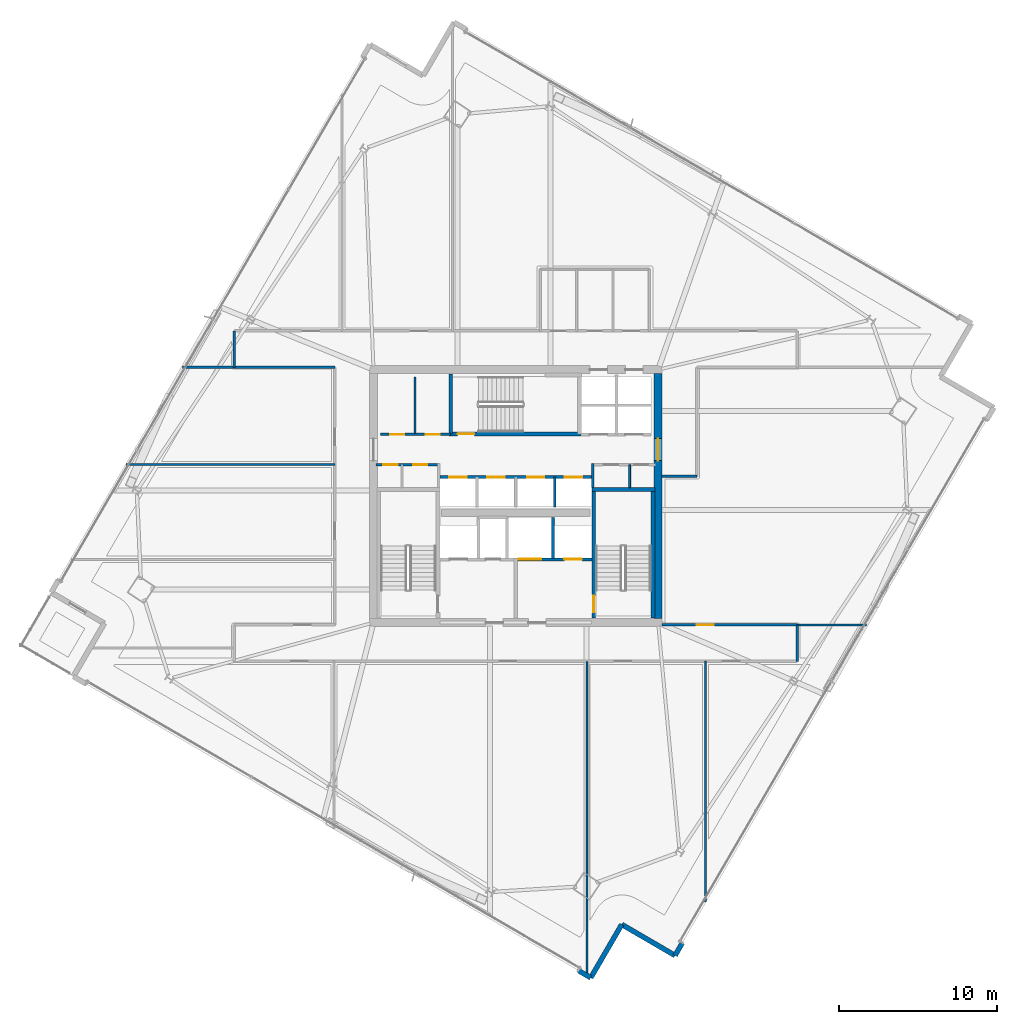
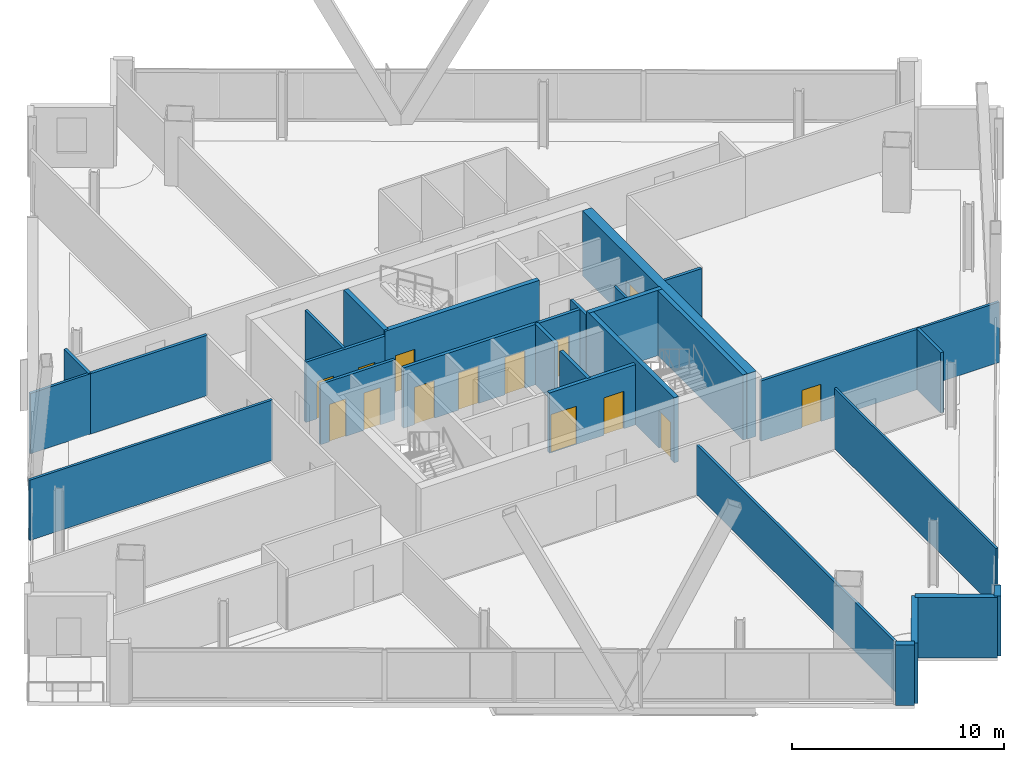
# One storey, part 22 of 29: 29 walls, 14 doors, 14 openings.
"""IFC4 building model written with IfcOpenShell, lengths in metres."""

from ifc_helpers import new_model, si_unit, direction, frame, frame_2d, origin, place, context, subcontext, project, spatial, rectangle, extrude, material, layer, layer_set, type_object, element, fill, save


model = new_model("IFC4")

# Units and contexts
model_context = context("Model", 3, precision=1e-05, world=origin(), true_north=direction((0.0, 1.0)))
body_context = subcontext(model_context, "Body", "Model", "MODEL_VIEW")
ifc_project = project(units=[si_unit("LENGTHUNIT", "METRE"), si_unit("AREAUNIT", "SQUARE_METRE"), si_unit("VOLUMEUNIT", "CUBIC_METRE"), si_unit("PLANEANGLEUNIT", "RADIAN"), si_unit("MASSUNIT", "GRAM", prefix="KILO")], contexts=[model_context])

# Site, building, storey
site_placement = place(None, origin())
site = spatial("IfcSite", under=ifc_project, at=site_placement, CompositionType="ELEMENT")
building_placement = place(site_placement, origin())
building = spatial("IfcBuilding", under=site, at=building_placement, Name="Haldenkirk Collegiate Tower", CompositionType="ELEMENT")
storey_placement = place(building_placement, frame((0.0, 0.0, 228.449951171875)))
storey = spatial("IfcBuildingStorey", under=building, at=storey_placement, Name="L57", CompositionType="ELEMENT", Elevation=228.449951171875)

# Wall, opening, door
ifc_material_1 = material(Name="Concrete f'c 55 MPa", Category="concrete")
ifc_layer_1 = layer(ifc_material_1, 0.5)
ifc_layer_set_1 = layer_set([ifc_layer_1], Name="Concrete f'c 55 MPa")
wall_type_1 = type_object("IfcWallType", Name="WL-CORE-500", PredefinedType="SHEAR", material=ifc_layer_set_1)
wall_1_placement = place(storey_placement, frame((45.0, 18.25, 0.0), z_axis=(0.0, 0.0, 1.0), x_axis=(0.0, 1.0, 0.0)))
wall_1 = element("IfcWall", 1, at=wall_1_placement, inside=storey, type_object=wall_type_1, Name="L57 central core shear wall E", PredefinedType="SHEAR", context=body_context, shape_type="SweptSolid", body=[
    extrude(rectangle(XDim=15.5, YDim=0.5, at=frame_2d((7.75, 0.0))), origin(), (0.0, 0.0, 1.0), 3.75),
])
opening_1_placement = place(wall_1_placement, frame((9.989990234375, 0.0, 0.0)))
opening_1 = element("IfcOpeningElement", 2, at=opening_1_placement, cuts=wall_1, Name="Opening D-03", PredefinedType="OPENING", context=body_context, shape_type="SweptSolid", body=[
    extrude(rectangle(XDim=1.39990234375, YDim=2.199951171875, at=frame_2d((0.699951171875, 1.10009765625))), frame((0.0, 0.260009765625, 0.0), z_axis=(0.0, -1.0, 0.0), x_axis=(1.0, 0.0, 0.0)), (0.0, 0.0, 1.0), 0.52001953125),
])
ifc_material_2 = material(Name="Galvanized fire-rated hollow steel door", Category="steel")
ifc_layer_2 = layer(ifc_material_2, 0.06005859375)
ifc_layer_set_2 = layer_set([ifc_layer_2], Name="Galvanized fire-rated hollow steel door")
door_type_1 = type_object("IfcDoorType", Name="DR-LOBBY-FD90-1400", OperationType="NOTDEFINED", PredefinedType="DOOR", material=ifc_layer_set_2)
door_1_placement = place(opening_1_placement, origin())
door_1 = element("IfcDoor", 3, at=door_1_placement, inside=storey, type_object=door_type_1, Name="L57 east lift lobby portal", OperationType="DOUBLE_DOOR_SINGLE_SWING", OverallHeight=2.199951171875, OverallWidth=1.39990234375, PredefinedType="DOOR", context=body_context, shape_type="SweptSolid", body=[
    extrude(rectangle(XDim=1.39990234375, YDim=2.199951171875, at=frame_2d((0.699951171875, 1.10009765625))), frame((0.0, 0.02490234375, 0.0), z_axis=(0.0, -1.0, 0.0), x_axis=(1.0, 0.0, 0.0)), (0.0, 0.0, 1.0), 0.050048828125),
])
fill(opening_1, door_1)

# Walls
ifc_material_3 = material(Name="Precast concrete f'c 40 MPa", Category="concrete")
ifc_layer_3 = layer(ifc_material_3, 0.320068359375)
ifc_layer_set_3 = layer_set([ifc_layer_3], Name="Precast concrete f'c 40 MPa")
wall_type_2 = type_object("IfcWallType", Name="WL-EXT-TWR-320", PredefinedType="STANDARD", material=ifc_layer_set_3)
for number, where, z_axis, x_axis, name in (
    (4, (46.5263671875, -2.283935546875, 0.0), (0.0, 0.0, 1.0), (-0.502959906984, -0.86430974307, 0.0), "L57 precast corner pier SR"),
    (5, (40.7412109375, -4.470458984375, 0.0), (0.0, 0.0, 1.0), (-0.86430974307, 0.502959906984, 0.0), "L57 precast corner pier WL"),
):
    element("IfcWall", number, at=place(storey_placement, frame(where, z_axis=z_axis, x_axis=x_axis)), inside=storey, type_object=wall_type_2, Name=name, PredefinedType="STANDARD", context=body_context, shape_type="SweptSolid", body=[
        extrude(rectangle(XDim=0.89990234375, YDim=0.320068359375, at=frame_2d((0.449951171875, 0.0))), origin(), (0.0, 0.0, 1.0), 3.469970703125),
    ])
wall_2_placement = place(storey_placement, frame((42.702880859375, -1.099853515625, 0.0), z_axis=(0.0, 0.0, 1.0), x_axis=(-0.503006671867, -0.864282527914, 0.0)))
element("IfcWall", 6, at=wall_2_placement, inside=storey, type_object=wall_type_2, Name="L57 bronze precast notch wall 11", PredefinedType="STANDARD", context=body_context, shape_type="SweptSolid", body=[
    extrude(rectangle(XDim=3.89990234375, YDim=0.320068359375, at=frame_2d((1.949951171875, 0.0))), origin(), (0.0, 0.0, 1.0), 3.469970703125),
])
wall_3_placement = place(storey_placement, frame((46.07373046875, -3.061767578125, 0.0), z_axis=(0.0, 0.0, 1.0), x_axis=(-0.86427115238, 0.503026217174, 0.0)))
element("IfcWall", 7, at=wall_3_placement, inside=storey, type_object=wall_type_2, Name="L57 bronze precast notch wall 12", PredefinedType="STANDARD", context=body_context, shape_type="SweptSolid", body=[
    extrude(rectangle(XDim=3.900146484375, YDim=0.320068359375, at=frame_2d((1.9501953125, 0.0))), origin(), (0.0, 0.0, 1.0), 3.469970703125),
])

# Wall, openings, doors
ifc_material_4 = material(Name="Acoustic fire-rated gypsum partition", Category="concrete")
ifc_layer_4 = layer(ifc_material_4, 0.159912109375)
ifc_layer_set_4 = layer_set([ifc_layer_4], Name="Acoustic fire-rated gypsum partition")
wall_type_3 = type_object("IfcWallType", Name="WL-INT-CORR-160", PredefinedType="PARTITIONING", material=ifc_layer_set_4)
wall_4_placement = place(storey_placement, frame((27.14990234375, 27.97998046875, 0.0), z_axis=(0.0, 0.0, 1.0), x_axis=(1.0, 0.0, 0.0)))
wall_4 = element("IfcWall", 8, at=wall_4_placement, inside=storey, type_object=wall_type_3, Name="L57 interior partition IW-L57-VCSW-N", PredefinedType="PARTITIONING", context=body_context, shape_type="SweptSolid", body=[
    extrude(rectangle(XDim=4.050048828125, YDim=0.159912109375, at=frame_2d((2.02490234375, 0.0))), origin(), (0.0, 0.0, 1.0), 3.469970703125),
])
opening_2_placement = place(wall_4_placement, frame((0.469970703125, 0.0, 0.0)))
opening_2 = element("IfcOpeningElement", 9, at=opening_2_placement, cuts=wall_4, Name="Opening D-11", PredefinedType="OPENING", context=body_context, shape_type="SweptSolid", body=[
    extrude(rectangle(XDim=0.89990234375, YDim=2.14990234375, at=frame_2d((0.449951171875, 1.074951171875))), frame((0.0, 0.08984375, 0.0), z_axis=(0.0, -1.0, 0.0), x_axis=(1.0, 0.0, 0.0)), (0.0, 0.0, 1.0), 0.179931640625),
])
opening_3_placement = place(wall_4_placement, frame((2.360107421875, 0.0, 0.0)))
opening_3 = element("IfcOpeningElement", 10, at=opening_3_placement, cuts=wall_4, Name="Opening D-11", PredefinedType="OPENING", context=body_context, shape_type="SweptSolid", body=[
    extrude(rectangle(XDim=0.89990234375, YDim=2.14990234375, at=frame_2d((0.449951171875, 1.074951171875))), frame((0.0, 0.08984375, 0.0), z_axis=(0.0, -1.0, 0.0), x_axis=(1.0, 0.0, 0.0)), (0.0, 0.0, 1.0), 0.179931640625),
])
ifc_material_5 = material(Name="Solid-core architectural oak fire door", Category="wood")
ifc_layer_5 = layer(ifc_material_5, 0.06005859375)
ifc_layer_set_5 = layer_set([ifc_layer_5], Name="Solid-core architectural oak fire door")
door_type_2 = type_object("IfcDoorType", Name="DR-INT-FD60-900", OperationType="NOTDEFINED", PredefinedType="DOOR", material=ifc_layer_set_5)
door_2_placement = place(opening_2_placement, origin())
door_2 = element("IfcDoor", 11, at=door_2_placement, inside=storey, type_object=door_type_2, Name="L57 core AV closet door", OperationType="SINGLE_SWING_RIGHT", OverallHeight=2.14990234375, OverallWidth=0.89990234375, PredefinedType="DOOR", context=body_context, shape_type="SweptSolid", body=[
    extrude(rectangle(XDim=0.89990234375, YDim=2.14990234375, at=frame_2d((0.449951171875, 1.074951171875))), frame((0.0, 0.02490234375, 0.0), z_axis=(0.0, -1.0, 0.0), x_axis=(1.0, 0.0, 0.0)), (0.0, 0.0, 1.0), 0.050048828125),
])
fill(opening_2, door_2)
door_3_placement = place(opening_3_placement, origin())
door_3 = element("IfcDoor", 12, at=door_3_placement, inside=storey, type_object=door_type_2, Name="L57 core supply closet door", OperationType="SINGLE_SWING_LEFT", OverallHeight=2.14990234375, OverallWidth=0.89990234375, PredefinedType="DOOR", context=body_context, shape_type="SweptSolid", body=[
    extrude(rectangle(XDim=0.89990234375, YDim=2.14990234375, at=frame_2d((0.449951171875, 1.074951171875))), frame((0.0, 0.02490234375, 0.0), z_axis=(0.0, -1.0, 0.0), x_axis=(1.0, 0.0, 0.0)), (0.0, 0.0, 1.0), 0.050048828125),
])
fill(opening_3, door_3)

# Wall
wall_5_placement = place(storey_placement, frame((40.8798828125, 26.5400390625, 0.0), z_axis=(0.0, 0.0, 1.0), x_axis=(0.0, 1.0, 0.0)))
element("IfcWall", 13, at=wall_5_placement, inside=storey, type_object=wall_type_3, Name="L57 interior partition IW-L57-VCSE-W", PredefinedType="PARTITIONING", context=body_context, shape_type="SweptSolid", body=[
    extrude(rectangle(XDim=1.510009765625, YDim=0.159912109375, at=frame_2d((0.7548828125, 0.0))), origin(), (0.0, 0.0, 1.0), 3.469970703125),
])

# Wall, openings, doors
wall_6_placement = place(storey_placement, frame((27.449951171875, 29.89990234375, 0.0), z_axis=(0.0, 0.0, 1.0), x_axis=(1.0, 0.0, 0.0)))
wall_6 = element("IfcWall", 14, at=wall_6_placement, inside=storey, type_object=wall_type_3, Name="L57 interior partition IW-L57-PLS", PredefinedType="PARTITIONING", context=body_context, shape_type="SweptSolid", body=[
    extrude(rectangle(XDim=4.429931640625, YDim=0.159912109375, at=frame_2d((2.21484375, 0.0))), origin(), (0.0, 0.0, 1.0), 3.469970703125),
])
opening_4_placement = place(wall_6_placement, frame((0.60009765625, 0.0, 0.0)))
opening_4 = element("IfcOpeningElement", 15, at=opening_4_placement, cuts=wall_6, Name="Opening D-11", PredefinedType="OPENING", context=body_context, shape_type="SweptSolid", body=[
    extrude(rectangle(XDim=0.89990234375, YDim=2.14990234375, at=frame_2d((0.449951171875, 1.074951171875))), frame((0.0, 0.08984375, 0.0), z_axis=(0.0, -1.0, 0.0), x_axis=(1.0, 0.0, 0.0)), (0.0, 0.0, 1.0), 0.179931640625),
])
opening_5_placement = place(wall_6_placement, frame((2.85009765625, 0.0, 0.0)))
opening_5 = element("IfcOpeningElement", 16, at=opening_5_placement, cuts=wall_6, Name="Opening D-11", PredefinedType="OPENING", context=body_context, shape_type="SweptSolid", body=[
    extrude(rectangle(XDim=0.89990234375, YDim=2.14990234375, at=frame_2d((0.449951171875, 1.074951171875))), frame((0.0, 0.08984375, 0.0), z_axis=(0.0, -1.0, 0.0), x_axis=(1.0, 0.0, 0.0)), (0.0, 0.0, 1.0), 0.179931640625),
])
door_4_placement = place(opening_4_placement, origin())
door_4 = element("IfcDoor", 17, at=door_4_placement, inside=storey, type_object=door_type_2, Name="L57 tea kitchen door", OperationType="SINGLE_SWING_RIGHT", OverallHeight=2.14990234375, OverallWidth=0.89990234375, PredefinedType="DOOR", context=body_context, shape_type="SweptSolid", body=[
    extrude(rectangle(XDim=0.89990234375, YDim=2.14990234375, at=frame_2d((0.449951171875, 1.074951171875))), frame((0.0, 0.02490234375, 0.0), z_axis=(0.0, -1.0, 0.0), x_axis=(1.0, 0.0, 0.0)), (0.0, 0.0, 1.0), 0.050048828125),
])
fill(opening_4, door_4)
door_5_placement = place(opening_5_placement, origin())
door_5 = element("IfcDoor", 18, at=door_5_placement, inside=storey, type_object=door_type_2, Name="L57 IT room door", OperationType="SINGLE_SWING_LEFT", OverallHeight=2.14990234375, OverallWidth=0.89990234375, PredefinedType="DOOR", context=body_context, shape_type="SweptSolid", body=[
    extrude(rectangle(XDim=0.89990234375, YDim=2.14990234375, at=frame_2d((0.449951171875, 1.074951171875))), frame((0.0, 0.02490234375, 0.0), z_axis=(0.0, -1.0, 0.0), x_axis=(1.0, 0.0, 0.0)), (0.0, 0.0, 1.0), 0.050048828125),
])
fill(opening_5, door_5)

# Wall, opening, door
wall_7_placement = place(storey_placement, frame((45.25, 17.85009765625, 0.0), z_axis=(0.0, 0.0, 1.0), x_axis=(1.0, 0.0, 0.0)))
wall_7 = element("IfcWall", 19, at=wall_7_placement, inside=storey, type_object=wall_type_3, Name="L57 interior partition IW-L57-CSE", PredefinedType="PARTITIONING", context=body_context, shape_type="SweptSolid", body=[
    extrude(rectangle(XDim=8.550048828125, YDim=0.159912109375, at=frame_2d((4.27490234375, 0.0))), origin(), (0.0, 0.0, 1.0), 3.469970703125),
])
opening_6_placement = place(wall_7_placement, frame((2.2109375, 0.0, 0.0)))
opening_6 = element("IfcOpeningElement", 20, at=opening_6_placement, cuts=wall_7, Name="Opening D-09", PredefinedType="OPENING", context=body_context, shape_type="SweptSolid", body=[
    extrude(rectangle(XDim=1.050048828125, YDim=2.14990234375, at=frame_2d((0.52490234375, 1.074951171875))), frame((0.0, 0.08984375, 0.0), z_axis=(0.0, -1.0, 0.0), x_axis=(1.0, 0.0, 0.0)), (0.0, 0.0, 1.0), 0.179931640625),
])
ifc_layer_6 = layer(ifc_material_5, 0.06005859375)
ifc_layer_set_6 = layer_set([ifc_layer_6], Name="Solid-core architectural oak fire door")
door_type_3 = type_object("IfcDoorType", Name="DR-INT-FD60-1050", OperationType="NOTDEFINED", PredefinedType="DOOR", material=ifc_layer_set_6)
door_6_placement = place(opening_6_placement, origin())
door_6 = element("IfcDoor", 21, at=door_6_placement, inside=storey, type_object=door_type_3, Name="L57 Research Office 11 door", OperationType="SINGLE_SWING_LEFT", OverallHeight=2.14990234375, OverallWidth=1.050048828125, PredefinedType="DOOR", context=body_context, shape_type="SweptSolid", body=[
    extrude(rectangle(XDim=1.050048828125, YDim=2.14990234375, at=frame_2d((0.52490234375, 1.074951171875))), frame((0.0, 0.02490234375, 0.0), z_axis=(0.0, -1.0, 0.0), x_axis=(1.0, 0.0, 0.0)), (0.0, 0.0, 1.0), 0.050048828125),
])
fill(opening_6, door_6)

# Walls
wall_8_placement = place(storey_placement, frame((18.199951171875, 34.14990234375, 0.0), z_axis=(0.0, 0.0, 1.0), x_axis=(1.0, 0.0, 0.0)))
element("IfcWall", 22, at=wall_8_placement, inside=storey, type_object=wall_type_3, Name="L57 interior partition IW-L57-CNW", PredefinedType="PARTITIONING", context=body_context, shape_type="SweptSolid", body=[
    extrude(rectangle(XDim=6.35009765625, YDim=0.159912109375, at=frame_2d((3.175048828125, 0.0))), origin(), (0.0, 0.0, 1.0), 3.469970703125),
])
wall_9_placement = place(storey_placement, frame((45.199951171875, 27.25, 0.0), z_axis=(0.0, 0.0, 1.0), x_axis=(1.0, 0.0, 0.0)))
element("IfcWall", 23, at=wall_9_placement, inside=storey, type_object=wall_type_3, Name="L57 interior partition IW-L57-CES", PredefinedType="PARTITIONING", context=body_context, shape_type="SweptSolid", body=[
    extrude(rectangle(XDim=2.25, YDim=0.159912109375, at=frame_2d((1.125, 0.0))), origin(), (0.0, 0.0, 1.0), 3.469970703125),
])
for number, where, z_axis, x_axis, name in (
    (24, (53.800048828125, 15.550048828125, 0.0), (0.0, 0.0, 1.0), (0.0, 1.0, 0.0), "L57 interior partition IW-L57-CSR"),
    (25, (18.199951171875, 34.14990234375, 0.0), (0.0, 0.0, 1.0), (0.0, 1.0, 0.0), "L57 interior partition IW-L57-CNL"),
):
    element("IfcWall", number, at=place(storey_placement, frame(where, z_axis=z_axis, x_axis=x_axis)), inside=storey, type_object=wall_type_3, Name=name, PredefinedType="PARTITIONING", context=body_context, shape_type="SweptSolid", body=[
        extrude(rectangle(XDim=2.300048828125, YDim=0.159912109375, at=frame_2d((1.14990234375, 0.0))), origin(), (0.0, 0.0, 1.0), 3.469970703125),
    ])
ifc_layer_7 = layer(ifc_material_4, 0.139892578125)
ifc_layer_set_7 = layer_set([ifc_layer_7], Name="Acoustic fire-rated gypsum partition")
wall_type_4 = type_object("IfcWallType", Name="WL-INT-DIV-140", PredefinedType="PARTITIONING", material=ifc_layer_set_7)
wall_10_placement = place(storey_placement, frame((29.6201171875, 29.949951171875, 0.0), z_axis=(0.0, 0.0, 1.0), x_axis=(0.0, 1.0, 0.0)))
element("IfcWall", 26, at=wall_10_placement, inside=storey, type_object=wall_type_4, Name="L57 interior partition IW-L57-PLDIV", PredefinedType="PARTITIONING", context=body_context, shape_type="SweptSolid", body=[
    extrude(rectangle(XDim=3.60009765625, YDim=0.139892578125, at=frame_2d((1.800048828125, 0.0))), origin(), (0.0, 0.0, 1.0), 3.469970703125),
])
wall_11_placement = place(storey_placement, frame((14.929931640625, 34.14990234375, 0.0), z_axis=(0.0, 0.0, 1.0), x_axis=(1.0, 0.0, 0.0)))
element("IfcWall", 27, at=wall_11_placement, inside=storey, type_object=wall_type_4, Name="L57 interior partition IW-L57-BWN", PredefinedType="PARTITIONING", context=body_context, shape_type="SweptSolid", body=[
    extrude(rectangle(XDim=3.27001953125, YDim=0.139892578125, at=frame_2d((1.635009765625, 0.0))), origin(), (0.0, 0.0, 1.0), 3.469970703125),
])
wall_12_placement = place(storey_placement, frame((53.800048828125, 17.85009765625, 0.0), z_axis=(0.0, 0.0, 1.0), x_axis=(1.0, 0.0, 0.0)))
element("IfcWall", 28, at=wall_12_placement, inside=storey, type_object=wall_type_4, Name="L57 interior partition IW-L57-BES", PredefinedType="PARTITIONING", context=body_context, shape_type="SweptSolid", body=[
    extrude(rectangle(XDim=4.398193359375, YDim=0.139892578125, at=frame_2d((2.19921875, 0.0))), origin(), (0.0, 0.0, 1.0), 3.469970703125),
])
wall_13_placement = place(storey_placement, frame((40.5, -4.28369140625, 0.0), z_axis=(0.0, 0.0, 1.0), x_axis=(0.0, 1.0, 0.0)))
element("IfcWall", 29, at=wall_13_placement, inside=storey, type_object=wall_type_4, Name="L57 interior partition IW-L57-RS2", PredefinedType="PARTITIONING", context=body_context, shape_type="SweptSolid", body=[
    extrude(rectangle(XDim=19.833740234375, YDim=0.139892578125, at=frame_2d((9.9169921875, 0.0))), origin(), (0.0, 0.0, 1.0), 2.84912109375),
])
wall_14_placement = place(storey_placement, frame((11.3505859375, 28.0, 0.0), z_axis=(0.0, 0.0, 1.0), x_axis=(1.0, 0.0, 0.0)))
element("IfcWall", 30, at=wall_14_placement, inside=storey, type_object=wall_type_4, Name="L57 interior partition IW-L57-RW2", PredefinedType="PARTITIONING", context=body_context, shape_type="SweptSolid", body=[
    extrude(rectangle(XDim=13.199462890625, YDim=0.139892578125, at=frame_2d((6.599609375, 0.0))), origin(), (0.0, 0.0, 1.0), 3.469970703125),
])
ifc_material_6 = material(Name="Fire-rated gypsum shaftboard assembly", Category="concrete")
ifc_layer_8 = layer(ifc_material_6, 0.179931640625)
ifc_layer_set_8 = layer_set([ifc_layer_8], Name="Fire-rated gypsum shaftboard assembly")
wall_type_5 = type_object("IfcWallType", Name="WL-INT-SHAFT-180", PredefinedType="PARTITIONING", material=ifc_layer_set_8)
wall_15_placement = place(storey_placement, frame((38.35009765625, 22.050048828125, 0.0), z_axis=(0.0, 0.0, 1.0), x_axis=(0.0, 1.0, 0.0)))
element("IfcWall", 31, at=wall_15_placement, inside=storey, type_object=wall_type_5, Name="L57 interior partition IW-L57-GL1E", PredefinedType="PARTITIONING", context=body_context, shape_type="SweptSolid", body=[
    extrude(rectangle(XDim=2.599853515625, YDim=0.179931640625, at=frame_2d((1.2998046875, 0.0))), origin(), (0.0, 0.0, 1.0), 3.469970703125),
])

# Wall, openings, doors
wall_16_placement = place(storey_placement, frame((31.199951171875, 27.199951171875, 0.0), z_axis=(0.0, 0.0, 1.0), x_axis=(1.0, 0.0, 0.0)))
wall_16 = element("IfcWall", 32, at=wall_16_placement, inside=storey, type_object=wall_type_5, Name="L57 interior partition IW-L57-PHN", PredefinedType="PARTITIONING", context=body_context, shape_type="SweptSolid", body=[
    extrude(rectangle(XDim=9.60009765625, YDim=0.179931640625, at=frame_2d((4.800048828125, 0.0))), origin(), (0.0, 0.0, 1.0), 3.469970703125),
])
opening_7_placement = place(wall_16_placement, frame((0.590087890625, 0.0, 0.0)))
opening_7 = element("IfcOpeningElement", 33, at=opening_7_placement, cuts=wall_16, Name="Opening LD-11", PredefinedType="OPENING", context=body_context, shape_type="SweptSolid", body=[
    extrude(rectangle(XDim=1.10009765625, YDim=2.14990234375, at=frame_2d((0.550048828125, 1.074951171875))), frame((0.0, 0.099853515625, 0.0), z_axis=(0.0, -1.0, 0.0), x_axis=(1.0, 0.0, 0.0)), (0.0, 0.0, 1.0), 0.199951171875),
])
opening_8_placement = place(wall_16_placement, frame((2.989990234375, 0.0, 0.0)))
opening_8 = element("IfcOpeningElement", 34, at=opening_8_placement, cuts=wall_16, Name="Opening LD-11", PredefinedType="OPENING", context=body_context, shape_type="SweptSolid", body=[
    extrude(rectangle(XDim=1.10009765625, YDim=2.14990234375, at=frame_2d((0.550048828125, 1.074951171875))), frame((0.0, 0.099853515625, 0.0), z_axis=(0.0, -1.0, 0.0), x_axis=(1.0, 0.0, 0.0)), (0.0, 0.0, 1.0), 0.199951171875),
])
opening_9_placement = place(wall_16_placement, frame((5.510009765625, 0.0, 0.0)))
opening_9 = element("IfcOpeningElement", 35, at=opening_9_placement, cuts=wall_16, Name="Opening LD-11", PredefinedType="OPENING", context=body_context, shape_type="SweptSolid", body=[
    extrude(rectangle(XDim=1.10009765625, YDim=2.14990234375, at=frame_2d((0.550048828125, 1.074951171875))), frame((0.0, 0.099853515625, 0.0), z_axis=(0.0, -1.0, 0.0), x_axis=(1.0, 0.0, 0.0)), (0.0, 0.0, 1.0), 0.199951171875),
])
opening_10_placement = place(wall_16_placement, frame((7.909912109375, 0.0, 0.0)))
opening_10 = element("IfcOpeningElement", 36, at=opening_10_placement, cuts=wall_16, Name="Opening LD-11", PredefinedType="OPENING", context=body_context, shape_type="SweptSolid", body=[
    extrude(rectangle(XDim=1.10009765625, YDim=2.14990234375, at=frame_2d((0.550048828125, 1.074951171875))), frame((0.0, 0.099853515625, 0.0), z_axis=(0.0, -1.0, 0.0), x_axis=(1.0, 0.0, 0.0)), (0.0, 0.0, 1.0), 0.199951171875),
])
ifc_material_7 = material(Name="Brushed architectural stainless steel", Category="steel")
ifc_layer_9 = layer(ifc_material_7, 0.06005859375)
ifc_layer_set_9 = layer_set([ifc_layer_9], Name="Brushed architectural stainless steel")
door_type_4 = type_object("IfcDoorType", Name="LD-PASS-1100", OperationType="NOTDEFINED", PredefinedType="DOOR", material=ifc_layer_set_9)
door_7_placement = place(opening_7_placement, origin())
door_7 = element("IfcDoor", 37, at=door_7_placement, inside=storey, type_object=door_type_4, Name="L57 Elevator PH1 sliding landing door", OperationType="SLIDING_TO_LEFT", OverallHeight=2.14990234375, OverallWidth=1.10009765625, PredefinedType="DOOR", context=body_context, shape_type="SweptSolid", body=[
    extrude(rectangle(XDim=1.10009765625, YDim=2.14990234375, at=frame_2d((0.550048828125, 1.074951171875))), frame((0.0, 0.02490234375, 0.0), z_axis=(0.0, -1.0, 0.0), x_axis=(1.0, 0.0, 0.0)), (0.0, 0.0, 1.0), 0.050048828125),
])
fill(opening_7, door_7)
door_8_placement = place(opening_8_placement, origin())
door_8 = element("IfcDoor", 38, at=door_8_placement, inside=storey, type_object=door_type_4, Name="L57 Elevator PH2 sliding landing door", OperationType="SLIDING_TO_LEFT", OverallHeight=2.14990234375, OverallWidth=1.10009765625, PredefinedType="DOOR", context=body_context, shape_type="SweptSolid", body=[
    extrude(rectangle(XDim=1.10009765625, YDim=2.14990234375, at=frame_2d((0.550048828125, 1.074951171875))), frame((0.0, 0.02490234375, 0.0), z_axis=(0.0, -1.0, 0.0), x_axis=(1.0, 0.0, 0.0)), (0.0, 0.0, 1.0), 0.050048828125),
])
fill(opening_8, door_8)
door_9_placement = place(opening_9_placement, origin())
door_9 = element("IfcDoor", 39, at=door_9_placement, inside=storey, type_object=door_type_4, Name="L57 Elevator PH3 sliding landing door", OperationType="SLIDING_TO_LEFT", OverallHeight=2.14990234375, OverallWidth=1.10009765625, PredefinedType="DOOR", context=body_context, shape_type="SweptSolid", body=[
    extrude(rectangle(XDim=1.10009765625, YDim=2.14990234375, at=frame_2d((0.550048828125, 1.074951171875))), frame((0.0, 0.02490234375, 0.0), z_axis=(0.0, -1.0, 0.0), x_axis=(1.0, 0.0, 0.0)), (0.0, 0.0, 1.0), 0.050048828125),
])
fill(opening_9, door_9)
door_10_placement = place(opening_10_placement, origin())
door_10 = element("IfcDoor", 40, at=door_10_placement, inside=storey, type_object=door_type_4, Name="L57 Elevator PH4 sliding landing door", OperationType="SLIDING_TO_LEFT", OverallHeight=2.14990234375, OverallWidth=1.10009765625, PredefinedType="DOOR", context=body_context, shape_type="SweptSolid", body=[
    extrude(rectangle(XDim=1.10009765625, YDim=2.14990234375, at=frame_2d((0.550048828125, 1.074951171875))), frame((0.0, 0.02490234375, 0.0), z_axis=(0.0, -1.0, 0.0), x_axis=(1.0, 0.0, 0.0)), (0.0, 0.0, 1.0), 0.050048828125),
])
fill(opening_10, door_10)

# Wall
wall_17_placement = place(storey_placement, frame((38.4599609375, 25.300048828125, 0.0), z_axis=(0.0, 0.0, 1.0), x_axis=(0.0, 1.0, 0.0)))
element("IfcWall", 41, at=wall_17_placement, inside=storey, type_object=wall_type_5, Name="L57 interior partition IW-L57-PHV3", PredefinedType="PARTITIONING", context=body_context, shape_type="SweptSolid", body=[
    extrude(rectangle(XDim=1.89990234375, YDim=0.179931640625, at=frame_2d((0.949951171875, 0.0))), origin(), (0.0, 0.0, 1.0), 3.469970703125),
])

# Wall, openings, doors
ifc_layer_10 = layer(ifc_material_6, 0.199951171875)
ifc_layer_set_10 = layer_set([ifc_layer_10], Name="Fire-rated gypsum shaftboard assembly")
wall_type_6 = type_object("IfcWallType", Name="WL-INT-SHAFT-200", PredefinedType="PARTITIONING", material=ifc_layer_set_10)
wall_18_placement = place(storey_placement, frame((36.1201171875, 22.0, 0.0), z_axis=(0.0, 0.0, 1.0), x_axis=(1.0, 0.0, 0.0)))
wall_18 = element("IfcWall", 42, at=wall_18_placement, inside=storey, type_object=wall_type_6, Name="L57 interior partition IW-L57-FFL2N", PredefinedType="PARTITIONING", context=body_context, shape_type="SweptSolid", body=[
    extrude(rectangle(XDim=4.68994140625, YDim=0.199951171875, at=frame_2d((2.344970703125, 0.0))), origin(), (0.0, 0.0, 1.0), 3.469970703125),
])
opening_11_placement = place(wall_18_placement, frame((2.955078125, 0.0, 0.0)))
opening_11 = element("IfcOpeningElement", 43, at=opening_11_placement, cuts=wall_18, Name="Opening LD-12", PredefinedType="OPENING", context=body_context, shape_type="SweptSolid", body=[
    extrude(rectangle(XDim=1.10009765625, YDim=2.14990234375, at=frame_2d((0.550048828125, 1.074951171875))), frame((0.0, 0.10986328125, 0.0), z_axis=(0.0, -1.0, 0.0), x_axis=(1.0, 0.0, 0.0)), (0.0, 0.0, 1.0), 0.219970703125),
])
opening_12_placement = place(wall_18_placement, frame((0.080078125, 0.0, 0.0)))
opening_12 = element("IfcOpeningElement", 44, at=opening_12_placement, cuts=wall_18, Name="Opening LD-13", PredefinedType="OPENING", context=body_context, shape_type="SweptSolid", body=[
    extrude(rectangle(XDim=1.39990234375, YDim=2.199951171875, at=frame_2d((0.699951171875, 1.10009765625))), frame((0.0, 0.10986328125, 0.0), z_axis=(0.0, -1.0, 0.0), x_axis=(1.0, 0.0, 0.0)), (0.0, 0.0, 1.0), 0.219970703125),
])
ifc_layer_11 = layer(ifc_material_7, 0.06005859375)
ifc_layer_set_11 = layer_set([ifc_layer_11], Name="Brushed architectural stainless steel")
door_type_5 = type_object("IfcDoorType", Name="LD-FIRE-1100", OperationType="NOTDEFINED", PredefinedType="DOOR", material=ifc_layer_set_11)
door_11_placement = place(opening_11_placement, origin())
door_11 = element("IfcDoor", 45, at=door_11_placement, inside=storey, type_object=door_type_5, Name="L57 Elevator FL2 sliding landing door", OperationType="SLIDING_TO_LEFT", OverallHeight=2.14990234375, OverallWidth=1.10009765625, PredefinedType="DOOR", context=body_context, shape_type="SweptSolid", body=[
    extrude(rectangle(XDim=1.10009765625, YDim=2.14990234375, at=frame_2d((0.550048828125, 1.074951171875))), frame((0.0, 0.02490234375, 0.0), z_axis=(0.0, -1.0, 0.0), x_axis=(1.0, 0.0, 0.0)), (0.0, 0.0, 1.0), 0.050048828125),
])
fill(opening_11, door_11)
ifc_layer_12 = layer(ifc_material_7, 0.06005859375)
ifc_layer_set_12 = layer_set([ifc_layer_12], Name="Brushed architectural stainless steel")
door_type_6 = type_object("IfcDoorType", Name="LD-GOODS-1400", OperationType="NOTDEFINED", PredefinedType="DOOR", material=ifc_layer_set_12)
door_12_placement = place(opening_12_placement, origin())
door_12 = element("IfcDoor", 46, at=door_12_placement, inside=storey, type_object=door_type_6, Name="L57 Elevator GL1 sliding landing door", OperationType="SLIDING_TO_LEFT", OverallHeight=2.199951171875, OverallWidth=1.39990234375, PredefinedType="DOOR", context=body_context, shape_type="SweptSolid", body=[
    extrude(rectangle(XDim=1.39990234375, YDim=2.199951171875, at=frame_2d((0.699951171875, 1.10009765625))), frame((0.0, 0.02490234375, 0.0), z_axis=(0.0, -1.0, 0.0), x_axis=(1.0, 0.0, 0.0)), (0.0, 0.0, 1.0), 0.050048828125),
])
fill(opening_12, door_12)

# Walls
ifc_layer_13 = layer(ifc_material_4, 0.1201171875)
ifc_layer_set_13 = layer_set([ifc_layer_13], Name="Acoustic fire-rated gypsum partition")
wall_type_7 = type_object("IfcWallType", Name="WL-INT-WET-120", PredefinedType="PARTITIONING", material=ifc_layer_set_13)
wall_19_placement = place(storey_placement, frame((43.199951171875, 26.5400390625, 0.0), z_axis=(0.0, 0.0, 1.0), x_axis=(0.0, 1.0, 0.0)))
element("IfcWall", 47, at=wall_19_placement, inside=storey, type_object=wall_type_7, Name="L57 interior partition IW-L57-VCSE-M", PredefinedType="PARTITIONING", context=body_context, shape_type="SweptSolid", body=[
    extrude(rectangle(XDim=1.43994140625, YDim=0.1201171875, at=frame_2d((0.719970703125, 0.0))), origin(), (0.0, 0.0, 1.0), 3.469970703125),
])
wall_20_placement = place(storey_placement, frame((48.0, 0.327392578125, 0.0), z_axis=(0.0, 0.0, 1.0), x_axis=(0.0, 1.0, 0.0)))
element("IfcWall", 48, at=wall_20_placement, inside=storey, type_object=wall_type_7, Name="L57 interior partition IW-L57-RS3", PredefinedType="PARTITIONING", context=body_context, shape_type="SweptSolid", body=[
    extrude(rectangle(XDim=15.22265625, YDim=0.1201171875, at=frame_2d((7.611328125, 0.0))), origin(), (0.0, 0.0, 1.0), 3.469970703125),
])

# Wall, opening, door
ifc_layer_14 = layer(ifc_material_1, 0.239990234375)
ifc_layer_set_14 = layer_set([ifc_layer_14], Name="Concrete f'c 55 MPa")
wall_type_8 = type_object("IfcWallType", Name="WL-SHAFT-240", PredefinedType="SHEAR", material=ifc_layer_set_14)
wall_21_placement = place(storey_placement, frame((40.929931640625, 18.280029296875, 0.0), z_axis=(0.0, 0.0, 1.0), x_axis=(0.0, 1.0, 0.0)))
wall_21 = element("IfcWall", 49, at=wall_21_placement, inside=storey, type_object=wall_type_8, Name="L57 stair shaft shear wall SW-L57-ST2W", PredefinedType="SHEAR", context=body_context, shape_type="SweptSolid", body=[
    extrude(rectangle(XDim=8.260009765625, YDim=0.239990234375, at=frame_2d((4.1298828125, 0.0))), origin(), (0.0, 0.0, 1.0), 3.75),
])
opening_13_placement = place(wall_21_placement, frame((0.364990234375, 0.0, 0.0)))
opening_13 = element("IfcOpeningElement", 50, at=opening_13_placement, cuts=wall_21, Name="Opening D-01", PredefinedType="OPENING", context=body_context, shape_type="SweptSolid", body=[
    extrude(rectangle(XDim=1.050048828125, YDim=2.14990234375, at=frame_2d((0.52490234375, 1.074951171875))), frame((0.0, 0.1298828125, 0.0), z_axis=(0.0, -1.0, 0.0), x_axis=(1.0, 0.0, 0.0)), (0.0, 0.0, 1.0), 0.260009765625),
])
ifc_layer_15 = layer(ifc_material_2, 0.06005859375)
ifc_layer_set_15 = layer_set([ifc_layer_15], Name="Galvanized fire-rated hollow steel door")
door_type_7 = type_object("IfcDoorType", Name="DR-STAIR-FD90-1050", OperationType="NOTDEFINED", PredefinedType="DOOR", material=ifc_layer_set_15)
door_13_placement = place(opening_13_placement, origin())
door_13 = element("IfcDoor", 51, at=door_13_placement, inside=storey, type_object=door_type_7, Name="L57 Stair 2 door", OperationType="SINGLE_SWING_RIGHT", OverallHeight=2.14990234375, OverallWidth=1.050048828125, PredefinedType="DOOR", context=body_context, shape_type="SweptSolid", body=[
    extrude(rectangle(XDim=1.050048828125, YDim=2.14990234375, at=frame_2d((0.52490234375, 1.074951171875))), frame((0.0, 0.02490234375, 0.0), z_axis=(0.0, -1.0, 0.0), x_axis=(1.0, 0.0, 0.0)), (0.0, 0.0, 1.0), 0.050048828125),
])
fill(opening_13, door_13)

# Walls
wall_22_placement = place(storey_placement, frame((40.81005859375, 26.419921875, 0.0), z_axis=(0.0, 0.0, 1.0), x_axis=(1.0, 0.0, 0.0)))
element("IfcWall", 52, at=wall_22_placement, inside=storey, type_object=wall_type_8, Name="L57 stair shaft shear wall SW-L57-ST2N", PredefinedType="SHEAR", context=body_context, shape_type="SweptSolid", body=[
    extrude(rectangle(XDim=3.97998046875, YDim=0.239990234375, at=frame_2d((1.989990234375, 0.0))), origin(), (0.0, 0.0, 1.0), 3.75),
])
wall_23_placement = place(storey_placement, frame((44.669921875, 18.280029296875, 0.0), z_axis=(0.0, 0.0, 1.0), x_axis=(0.0, 1.0, 0.0)))
element("IfcWall", 53, at=wall_23_placement, inside=storey, type_object=wall_type_8, Name="L57 stair shaft shear wall SW-L57-ST2E", PredefinedType="SHEAR", context=body_context, shape_type="SweptSolid", body=[
    extrude(rectangle(XDim=8.260009765625, YDim=0.239990234375, at=frame_2d((4.1298828125, 0.0))), origin(), (0.0, 0.0, 1.0), 3.75),
])

# Wall, opening, door
wall_24_placement = place(storey_placement, frame((31.760009765625, 29.929931640625, 0.0), z_axis=(0.0, 0.0, 1.0), x_axis=(1.0, 0.0, 0.0)))
wall_24 = element("IfcWall", 54, at=wall_24_placement, inside=storey, type_object=wall_type_8, Name="L57 stair shaft shear wall SW-L57-ST3S", PredefinedType="SHEAR", context=body_context, shape_type="SweptSolid", body=[
    extrude(rectangle(XDim=8.3798828125, YDim=0.239990234375, at=frame_2d((4.18994140625, 0.0))), origin(), (0.0, 0.0, 1.0), 3.75),
])
opening_14_placement = place(wall_24_placement, frame((0.56494140625, 0.0, 0.0)))
opening_14 = element("IfcOpeningElement", 55, at=opening_14_placement, cuts=wall_24, Name="Opening D-01", PredefinedType="OPENING", context=body_context, shape_type="SweptSolid", body=[
    extrude(rectangle(XDim=1.050048828125, YDim=2.14990234375, at=frame_2d((0.52490234375, 1.074951171875))), frame((0.0, 0.1298828125, 0.0), z_axis=(0.0, -1.0, 0.0), x_axis=(1.0, 0.0, 0.0)), (0.0, 0.0, 1.0), 0.260009765625),
])
door_14_placement = place(opening_14_placement, origin())
door_14 = element("IfcDoor", 56, at=door_14_placement, inside=storey, type_object=door_type_7, Name="L57 lift lobby Stair 3 door", OperationType="SINGLE_SWING_RIGHT", OverallHeight=2.14990234375, OverallWidth=1.050048828125, PredefinedType="DOOR", context=body_context, shape_type="SweptSolid", body=[
    extrude(rectangle(XDim=1.050048828125, YDim=2.14990234375, at=frame_2d((0.52490234375, 1.074951171875))), frame((0.0, 0.02490234375, 0.0), z_axis=(0.0, -1.0, 0.0), x_axis=(1.0, 0.0, 0.0)), (0.0, 0.0, 1.0), 0.050048828125),
])
fill(opening_14, door_14)

# Wall
wall_25_placement = place(storey_placement, frame((31.8798828125, 29.929931640625, 0.0), z_axis=(0.0, 0.0, 1.0), x_axis=(0.0, 1.0, 0.0)))
element("IfcWall", 57, at=wall_25_placement, inside=storey, type_object=wall_type_8, Name="L57 stair shaft shear wall SW-L57-ST3W", PredefinedType="SHEAR", context=body_context, shape_type="SweptSolid", body=[
    extrude(rectangle(XDim=3.7900390625, YDim=0.239990234375, at=frame_2d((1.89501953125, 0.0))), origin(), (0.0, 0.0, 1.0), 3.75),
])

save(model, "model.ifc")
